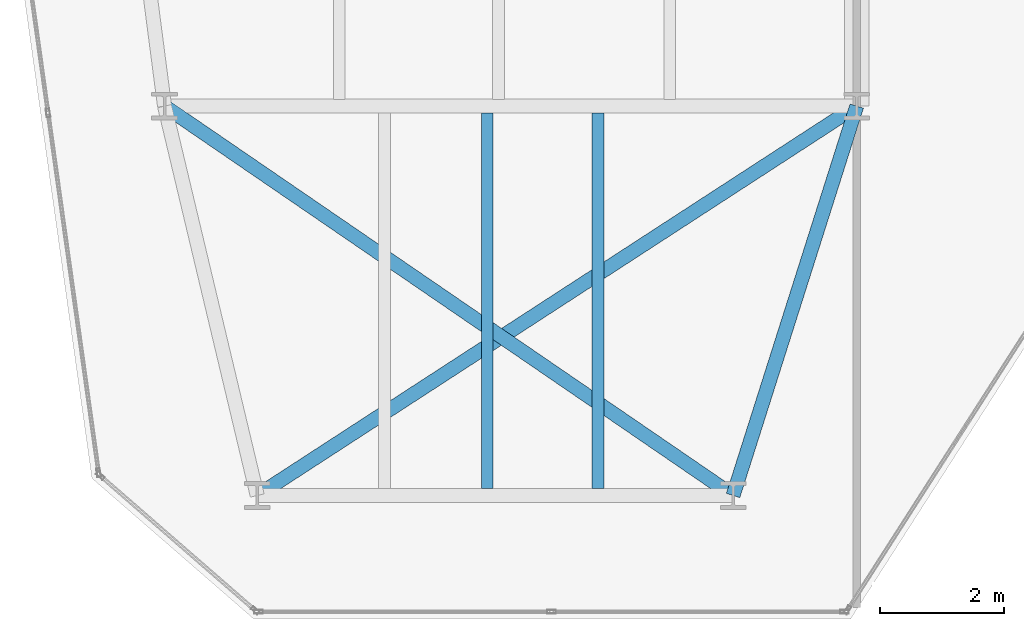
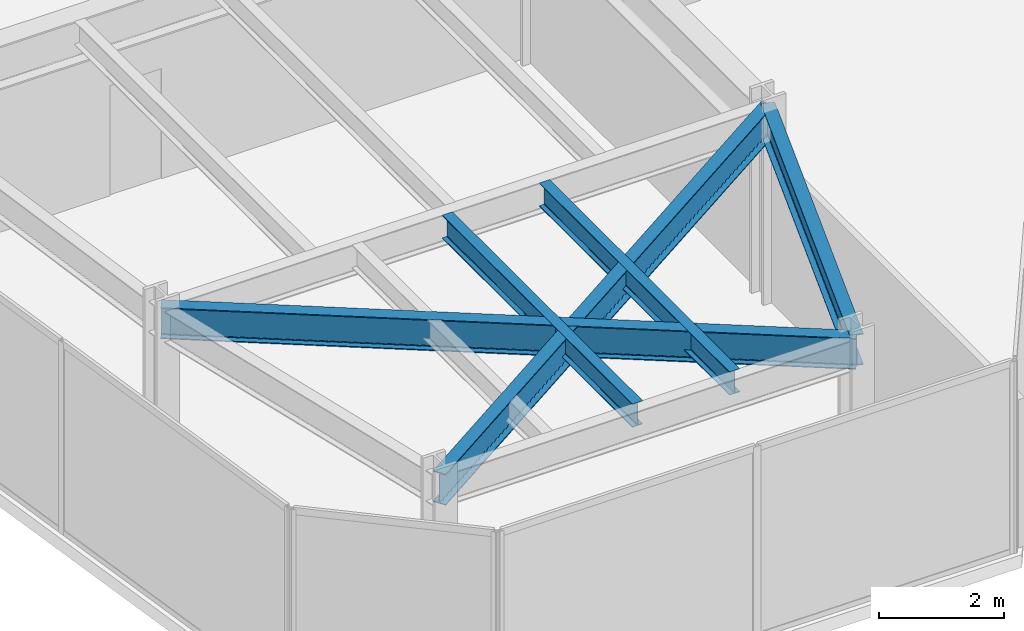
# One storey, part 4 of 26: 5 beams.
"""IFC4 building model written with IfcOpenShell, lengths in metres."""

from ifc_helpers import new_model, si_unit, direction, frame, origin, origin_2d, place, context, subcontext, project, spatial, i_section, extrude, material, material_profile, profile_set, type_object, element, save


model = new_model("IFC4")

# Units and contexts
model_context = context("Model", 3, precision=1e-05, world=origin(), true_north=direction((0.0, 1.0)))
body_context = subcontext(model_context, "Body", "Model", "MODEL_VIEW")
ifc_project = project(units=[si_unit("LENGTHUNIT", "METRE"), si_unit("AREAUNIT", "SQUARE_METRE"), si_unit("VOLUMEUNIT", "CUBIC_METRE"), si_unit("PLANEANGLEUNIT", "RADIAN"), si_unit("MASSUNIT", "GRAM", prefix="KILO")], contexts=[model_context])

# Site, building, storey
site_placement = place(None, origin())
site = spatial("IfcSite", under=ifc_project, at=site_placement, CompositionType="ELEMENT")
building_placement = place(site_placement, origin())
building = spatial("IfcBuilding", under=site, at=building_placement, Name="Kravanh Interchange Tower", CompositionType="ELEMENT")
storey_placement = place(building_placement, frame((0.0, 0.0, 144.0)))
storey = spatial("IfcBuildingStorey", under=building, at=storey_placement, Name="L34", CompositionType="ELEMENT", Elevation=144.0)

# Beams
ifc_material_1 = material(Name="Structural Steel S355", Category="steel")
ifc_material_profile_1 = material_profile(ifc_material_1, i_section(OverallWidth=0.18994140625, OverallDepth=0.45703125, WebThickness=0.009033203125, FlangeThickness=0.014404296875, FilletRadius=0.01806640625, at=origin_2d()), Name="W18X50")
ifc_profile_set_1 = profile_set([ifc_material_profile_1], Name="Structural Steel S355")
beam_type_1 = type_object("IfcBeamType", Name="Floor Joist W18X50 Structural Steel S355", PredefinedType="JOIST", material=ifc_profile_set_1)
for number, where, z_axis, x_axis, name in (
    (1, (21.221923828125, 8.30908203125, 3.521484375), (0.0, 1.0, 0.0), (-1.0, 0.0, 0.0), "L34 Secondary Floor Joist 2"),
    (2, (23.013916015625, 8.30908203125, 3.521484375), (0.0, 1.0, 0.0), (-1.0, 0.0, 0.0), "L34 Secondary Floor Joist 3"),
):
    element("IfcBeam", number, at=place(storey_placement, frame(where, z_axis=z_axis, x_axis=x_axis)), inside=storey, type_object=beam_type_1, Name=name, PredefinedType="JOIST", context=body_context, shape_type="SweptSolid", body=[
        extrude(i_section(OverallWidth=0.18994140625, OverallDepth=0.45703125, WebThickness=0.009033203125, FlangeThickness=0.014404296875, FilletRadius=0.01806640625, at=origin_2d()), origin(), (0.0, 0.0, 1.0), 6.08203125),
    ])
ifc_material_2 = material(Name="Structural Steel S355", Category="steel")
ifc_material_profile_2 = material_profile(ifc_material_2, i_section(OverallWidth=0.22802734375, OverallDepth=0.60791015625, WebThickness=0.01123046875, FlangeThickness=0.017333984375, FilletRadius=0.02197265625, at=origin_2d()), Name="W24X76")
ifc_profile_set_2 = profile_set([ifc_material_profile_2], Name="Structural Steel S355")
beam_type_2 = type_object("IfcBeamType", Name="Floor Spandrel W24X76 Structural Steel S355", PredefinedType="SPANDREL", material=ifc_profile_set_2)
beam_1_placement = place(storey_placement, frame((17.5, 8.199951171875, 3.446044921875), z_axis=(0.838637911458, 0.544689318295, 0.0), x_axis=(-0.544689318295, 0.838637911458, 0.0)))
element("IfcBeam", 3, at=beam_1_placement, inside=storey, type_object=beam_type_2, Name="L34 Perimeter Spandrel 36", PredefinedType="SPANDREL", context=body_context, shape_type="SweptSolid", body=[
    extrude(i_section(OverallWidth=0.22802734375, OverallDepth=0.60791015625, WebThickness=0.01123046875, FlangeThickness=0.017333984375, FilletRadius=0.02197265625, at=origin_2d()), origin(), (0.0, 0.0, 1.0), 11.56640625),
])
beam_2_placement = place(storey_placement, frame((25.199951171875, 8.199951171875, 3.446044921875), z_axis=(0.30257700201, 0.953124943465, 0.0), x_axis=(-0.953124943465, 0.30257700201, 0.0)))
element("IfcBeam", 4, at=beam_2_placement, inside=storey, type_object=beam_type_2, Name="L34 Perimeter Spandrel 76", PredefinedType="SPANDREL", context=body_context, shape_type="SweptSolid", body=[
    extrude(i_section(OverallWidth=0.22802734375, OverallDepth=0.60791015625, WebThickness=0.01123046875, FlangeThickness=0.017333984375, FilletRadius=0.02197265625, at=origin_2d()), origin(), (0.0, 0.0, 1.0), 6.60986328125),
])
beam_3_placement = place(storey_placement, frame((25.199951171875, 8.199951171875, 3.446044921875), z_axis=(-0.825083781107, 0.565010401811, 0.0), x_axis=(-0.565010401811, -0.825083781107, 0.0)))
element("IfcBeam", 5, at=beam_3_placement, inside=storey, type_object=beam_type_2, Name="L34 Perimeter Spandrel 77", PredefinedType="SPANDREL", context=body_context, shape_type="SweptSolid", body=[
    extrude(i_section(OverallWidth=0.22802734375, OverallDepth=0.60791015625, WebThickness=0.01123046875, FlangeThickness=0.017333984375, FilletRadius=0.02197265625, at=origin_2d()), origin(), (0.0, 0.0, 1.0), 11.150390625),
])

save(model, "model.ifc")
